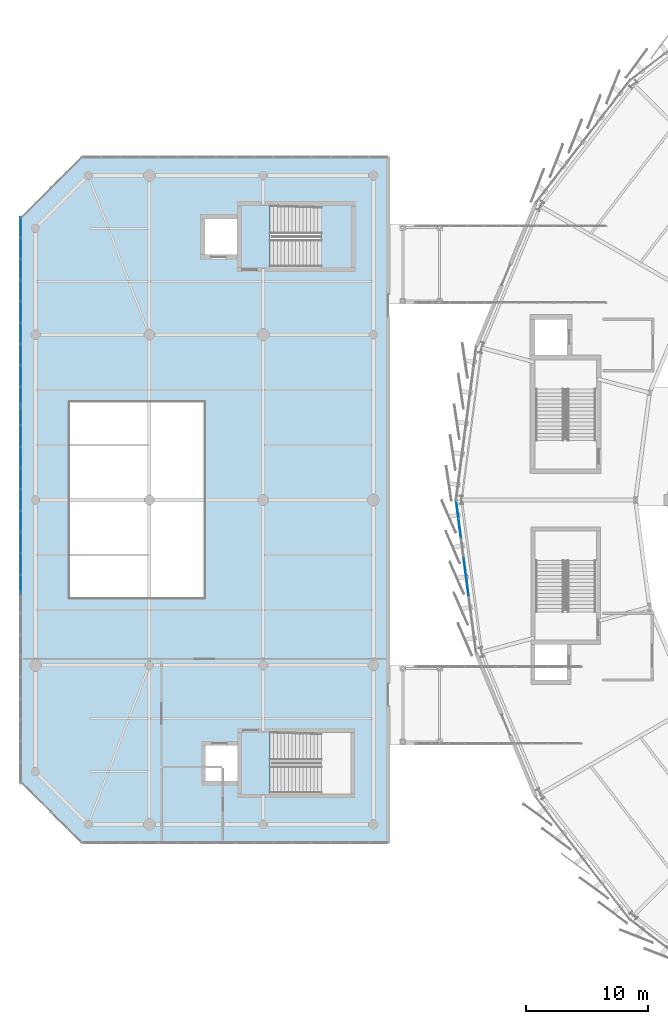
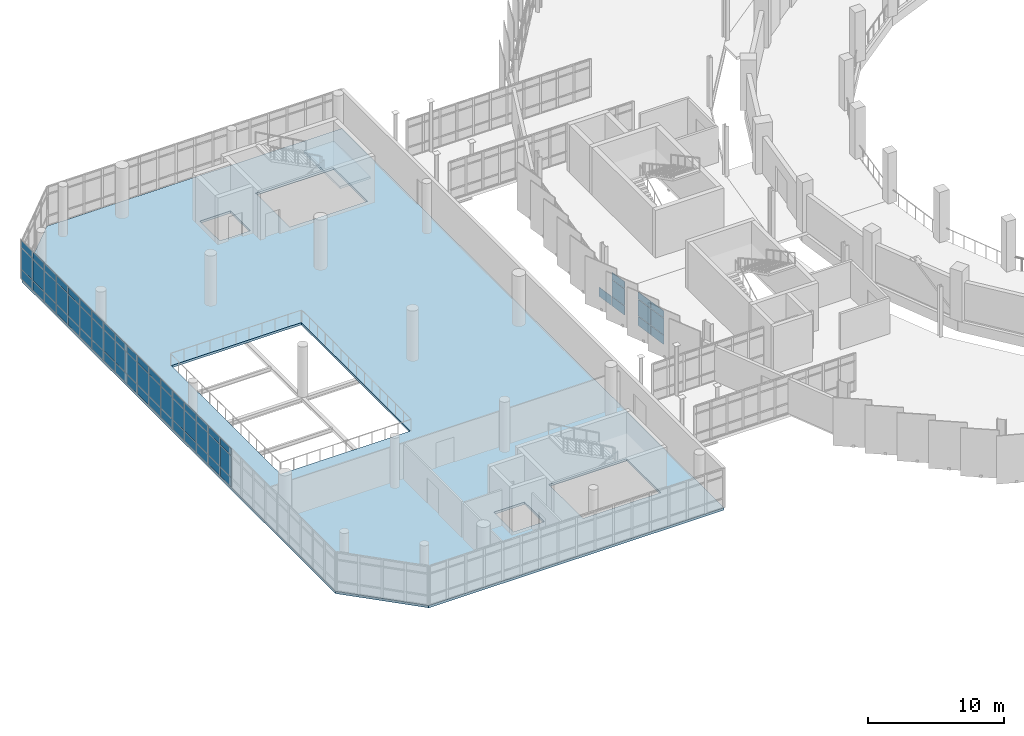
# One storey, part 86 of 125: 64 plates, 2 slabs, 4 elements without a shape of their own.
"""IFC4 building model written with IfcOpenShell, lengths in metres."""

from ifc_helpers import new_model, si_unit, direction, frame, origin, origin_2d, place, context, subcontext, project, spatial, polyline, rectangle, outline, extrude, material, layer, layer_set, type_object, element, aggregate, save


model = new_model("IFC4")

# Units and contexts
model_context = context("Model", 3, precision=1e-05, world=origin(), true_north=direction((0.0, 1.0)))
body_context = subcontext(model_context, "Body", "Model", "MODEL_VIEW")
ifc_project = project(units=[si_unit("LENGTHUNIT", "METRE"), si_unit("AREAUNIT", "SQUARE_METRE"), si_unit("VOLUMEUNIT", "CUBIC_METRE"), si_unit("PLANEANGLEUNIT", "RADIAN"), si_unit("MASSUNIT", "GRAM", prefix="KILO")], contexts=[model_context])

# Site, building, storey
site_placement = place(None, origin())
site = spatial("IfcSite", under=ifc_project, at=site_placement, CompositionType="ELEMENT")
building_placement = place(site_placement, origin())
building = spatial("IfcBuilding", under=site, at=building_placement, Name="Sohan Crest Arena", CompositionType="ELEMENT")
storey_placement = place(building_placement, frame((0.0, 0.0, 9.0)))
storey = spatial("IfcBuildingStorey", under=building, at=storey_placement, Name="L02", CompositionType="ELEMENT", Elevation=9.0)

# Curtain wall, plates
ifc_material_1 = material(Name="Thermally broken anodised aluminium", Category="aluminium")
ifc_layer_1 = layer(ifc_material_1, 0.219970703125, Name="Thermally broken anodised aluminium")
ifc_layer_set_1 = layer_set([ifc_layer_1], Name="Thermally broken anodised aluminium")
curtain_wall_type_1 = type_object("IfcCurtainWallType", Name="ARC-CW03", PredefinedType="NOTDEFINED", material=ifc_layer_set_1)
curtain_wall_1_placement = place(storey_placement, origin())
curtain_wall_1 = element("IfcCurtainWall", 1, at=curtain_wall_1_placement, inside=storey, type_object=curtain_wall_type_1, Name="Unitised curtain wall CW-216", PredefinedType="NOTDEFINED")
ifc_material_2 = material(Name="Low-E double-glazed insulated glass", Category="glass")
ifc_layer_2 = layer(ifc_material_2, 0.028076171875, Name="Low-E double-glazed insulated glass")
ifc_layer_set_2 = layer_set([ifc_layer_2], Name="Low-E double-glazed insulated glass")
plate_type_1 = type_object("IfcPlateType", Name="ARC-CNP01", PredefinedType="CURTAIN_PANEL", material=ifc_layer_set_2)
plate_1_placement = place(storey_placement, frame((14.0, 100.263916015625, 0.06494140625), z_axis=(0.0, 0.0, 1.0), x_axis=(0.0, -1.0, 0.0)))
plate_1 = element("IfcPlate", 2, at=plate_1_placement, type_object=plate_type_1, Name="CW-216 panel 1.1", PredefinedType="CURTAIN_PANEL", context=body_context, shape_type="SweptSolid", body=[
    extrude(rectangle(XDim=1.632080078125, YDim=0.028076171875, at=origin_2d()), origin(), (0.0, 0.0, 1.0), 0.802490234375),
])
plate_2_placement = place(storey_placement, frame((14.0, 100.263916015625, 0.9326171875), z_axis=(0.0, 0.0, 1.0), x_axis=(0.0, -1.0, 0.0)))
plate_2 = element("IfcPlate", 3, at=plate_2_placement, type_object=plate_type_1, Name="CW-216 panel 1.2", PredefinedType="CURTAIN_PANEL", context=body_context, shape_type="SweptSolid", body=[
    extrude(rectangle(XDim=1.632080078125, YDim=0.028076171875, at=origin_2d()), origin(), (0.0, 0.0, 1.0), 1.885009765625),
])
plate_3_placement = place(storey_placement, frame((14.0, 100.263916015625, 2.882568359375), z_axis=(0.0, 0.0, 1.0), x_axis=(0.0, -1.0, 0.0)))
plate_3 = element("IfcPlate", 4, at=plate_3_placement, type_object=plate_type_1, Name="CW-216 panel 1.3", PredefinedType="CURTAIN_PANEL", context=body_context, shape_type="SweptSolid", body=[
    extrude(rectangle(XDim=1.632080078125, YDim=0.028076171875, at=origin_2d()), origin(), (0.0, 0.0, 1.0), 0.6025390625),
])
plate_4_placement = place(storey_placement, frame((14.0, 98.54443359375, 0.06494140625), z_axis=(0.0, 0.0, 1.0), x_axis=(0.0, -1.0, 0.0)))
plate_4 = element("IfcPlate", 5, at=plate_4_placement, type_object=plate_type_1, Name="CW-216 panel 2.1", PredefinedType="CURTAIN_PANEL", context=body_context, shape_type="SweptSolid", body=[
    extrude(rectangle(XDim=1.6669921875, YDim=0.028076171875, at=origin_2d()), origin(), (0.0, 0.0, 1.0), 0.802490234375),
])
plate_5_placement = place(storey_placement, frame((14.0, 98.54443359375, 0.9326171875), z_axis=(0.0, 0.0, 1.0), x_axis=(0.0, -1.0, 0.0)))
plate_5 = element("IfcPlate", 6, at=plate_5_placement, type_object=plate_type_1, Name="CW-216 panel 2.2", PredefinedType="CURTAIN_PANEL", context=body_context, shape_type="SweptSolid", body=[
    extrude(rectangle(XDim=1.6669921875, YDim=0.028076171875, at=origin_2d()), origin(), (0.0, 0.0, 1.0), 1.885009765625),
])
plate_6_placement = place(storey_placement, frame((14.0, 98.54443359375, 2.882568359375), z_axis=(0.0, 0.0, 1.0), x_axis=(0.0, -1.0, 0.0)))
plate_6 = element("IfcPlate", 7, at=plate_6_placement, type_object=plate_type_1, Name="CW-216 panel 2.3", PredefinedType="CURTAIN_PANEL", context=body_context, shape_type="SweptSolid", body=[
    extrude(rectangle(XDim=1.6669921875, YDim=0.028076171875, at=origin_2d()), origin(), (0.0, 0.0, 1.0), 0.6025390625),
])
plate_7_placement = place(storey_placement, frame((14.0, 96.8076171875, 0.06494140625), z_axis=(0.0, 0.0, 1.0), x_axis=(0.0, -1.0, 0.0)))
plate_7 = element("IfcPlate", 8, at=plate_7_placement, type_object=plate_type_1, Name="CW-216 panel 3.1", PredefinedType="CURTAIN_PANEL", context=body_context, shape_type="SweptSolid", body=[
    extrude(rectangle(XDim=1.6669921875, YDim=0.028076171875, at=origin_2d()), origin(), (0.0, 0.0, 1.0), 0.802490234375),
])
plate_8_placement = place(storey_placement, frame((14.0, 96.8076171875, 0.9326171875), z_axis=(0.0, 0.0, 1.0), x_axis=(0.0, -1.0, 0.0)))
plate_8 = element("IfcPlate", 9, at=plate_8_placement, type_object=plate_type_1, Name="CW-216 panel 3.2", PredefinedType="CURTAIN_PANEL", context=body_context, shape_type="SweptSolid", body=[
    extrude(rectangle(XDim=1.6669921875, YDim=0.028076171875, at=origin_2d()), origin(), (0.0, 0.0, 1.0), 1.885009765625),
])
plate_9_placement = place(storey_placement, frame((14.0, 96.8076171875, 2.882568359375), z_axis=(0.0, 0.0, 1.0), x_axis=(0.0, -1.0, 0.0)))
plate_9 = element("IfcPlate", 10, at=plate_9_placement, type_object=plate_type_1, Name="CW-216 panel 3.3", PredefinedType="CURTAIN_PANEL", context=body_context, shape_type="SweptSolid", body=[
    extrude(rectangle(XDim=1.6669921875, YDim=0.028076171875, at=origin_2d()), origin(), (0.0, 0.0, 1.0), 0.6025390625),
])
plate_10_placement = place(storey_placement, frame((14.0, 95.070556640625, 0.06494140625), z_axis=(0.0, 0.0, 1.0), x_axis=(0.0, -1.0, 0.0)))
plate_10 = element("IfcPlate", 11, at=plate_10_placement, type_object=plate_type_1, Name="CW-216 panel 4.1", PredefinedType="CURTAIN_PANEL", context=body_context, shape_type="SweptSolid", body=[
    extrude(rectangle(XDim=1.6669921875, YDim=0.028076171875, at=origin_2d()), origin(), (0.0, 0.0, 1.0), 0.802490234375),
])
plate_11_placement = place(storey_placement, frame((14.0, 95.070556640625, 0.9326171875), z_axis=(0.0, 0.0, 1.0), x_axis=(0.0, -1.0, 0.0)))
plate_11 = element("IfcPlate", 12, at=plate_11_placement, type_object=plate_type_1, Name="CW-216 panel 4.2", PredefinedType="CURTAIN_PANEL", context=body_context, shape_type="SweptSolid", body=[
    extrude(rectangle(XDim=1.6669921875, YDim=0.028076171875, at=origin_2d()), origin(), (0.0, 0.0, 1.0), 1.885009765625),
])
plate_12_placement = place(storey_placement, frame((14.0, 95.070556640625, 2.882568359375), z_axis=(0.0, 0.0, 1.0), x_axis=(0.0, -1.0, 0.0)))
plate_12 = element("IfcPlate", 13, at=plate_12_placement, type_object=plate_type_1, Name="CW-216 panel 4.3", PredefinedType="CURTAIN_PANEL", context=body_context, shape_type="SweptSolid", body=[
    extrude(rectangle(XDim=1.6669921875, YDim=0.028076171875, at=origin_2d()), origin(), (0.0, 0.0, 1.0), 0.6025390625),
])
plate_13_placement = place(storey_placement, frame((14.0, 93.33349609375, 0.06494140625), z_axis=(0.0, 0.0, 1.0), x_axis=(0.0, -1.0, 0.0)))
plate_13 = element("IfcPlate", 14, at=plate_13_placement, type_object=plate_type_1, Name="CW-216 panel 5.1", PredefinedType="CURTAIN_PANEL", context=body_context, shape_type="SweptSolid", body=[
    extrude(rectangle(XDim=1.6669921875, YDim=0.028076171875, at=origin_2d()), origin(), (0.0, 0.0, 1.0), 0.802490234375),
])
plate_14_placement = place(storey_placement, frame((14.0, 93.33349609375, 0.9326171875), z_axis=(0.0, 0.0, 1.0), x_axis=(0.0, -1.0, 0.0)))
plate_14 = element("IfcPlate", 15, at=plate_14_placement, type_object=plate_type_1, Name="CW-216 panel 5.2", PredefinedType="CURTAIN_PANEL", context=body_context, shape_type="SweptSolid", body=[
    extrude(rectangle(XDim=1.6669921875, YDim=0.028076171875, at=origin_2d()), origin(), (0.0, 0.0, 1.0), 1.885009765625),
])
plate_15_placement = place(storey_placement, frame((14.0, 93.33349609375, 2.882568359375), z_axis=(0.0, 0.0, 1.0), x_axis=(0.0, -1.0, 0.0)))
plate_15 = element("IfcPlate", 16, at=plate_15_placement, type_object=plate_type_1, Name="CW-216 panel 5.3", PredefinedType="CURTAIN_PANEL", context=body_context, shape_type="SweptSolid", body=[
    extrude(rectangle(XDim=1.6669921875, YDim=0.028076171875, at=origin_2d()), origin(), (0.0, 0.0, 1.0), 0.6025390625),
])
plate_16_placement = place(storey_placement, frame((14.0, 91.596435546875, 0.06494140625), z_axis=(0.0, 0.0, 1.0), x_axis=(0.0, -1.0, 0.0)))
plate_16 = element("IfcPlate", 17, at=plate_16_placement, type_object=plate_type_1, Name="CW-216 panel 6.1", PredefinedType="CURTAIN_PANEL", context=body_context, shape_type="SweptSolid", body=[
    extrude(rectangle(XDim=1.6669921875, YDim=0.028076171875, at=origin_2d()), origin(), (0.0, 0.0, 1.0), 0.802490234375),
])
plate_17_placement = place(storey_placement, frame((14.0, 91.596435546875, 0.9326171875), z_axis=(0.0, 0.0, 1.0), x_axis=(0.0, -1.0, 0.0)))
plate_17 = element("IfcPlate", 18, at=plate_17_placement, type_object=plate_type_1, Name="CW-216 panel 6.2", PredefinedType="CURTAIN_PANEL", context=body_context, shape_type="SweptSolid", body=[
    extrude(rectangle(XDim=1.6669921875, YDim=0.028076171875, at=origin_2d()), origin(), (0.0, 0.0, 1.0), 1.885009765625),
])
plate_18_placement = place(storey_placement, frame((14.0, 91.596435546875, 2.882568359375), z_axis=(0.0, 0.0, 1.0), x_axis=(0.0, -1.0, 0.0)))
plate_18 = element("IfcPlate", 19, at=plate_18_placement, type_object=plate_type_1, Name="CW-216 panel 6.3", PredefinedType="CURTAIN_PANEL", context=body_context, shape_type="SweptSolid", body=[
    extrude(rectangle(XDim=1.6669921875, YDim=0.028076171875, at=origin_2d()), origin(), (0.0, 0.0, 1.0), 0.6025390625),
])
plate_19_placement = place(storey_placement, frame((14.0, 89.859619140625, 0.06494140625), z_axis=(0.0, 0.0, 1.0), x_axis=(0.0, -1.0, 0.0)))
plate_19 = element("IfcPlate", 20, at=plate_19_placement, type_object=plate_type_1, Name="CW-216 panel 7.1", PredefinedType="CURTAIN_PANEL", context=body_context, shape_type="SweptSolid", body=[
    extrude(rectangle(XDim=1.6669921875, YDim=0.028076171875, at=origin_2d()), origin(), (0.0, 0.0, 1.0), 0.802490234375),
])
plate_20_placement = place(storey_placement, frame((14.0, 89.859619140625, 0.9326171875), z_axis=(0.0, 0.0, 1.0), x_axis=(0.0, -1.0, 0.0)))
plate_20 = element("IfcPlate", 21, at=plate_20_placement, type_object=plate_type_1, Name="CW-216 panel 7.2", PredefinedType="CURTAIN_PANEL", context=body_context, shape_type="SweptSolid", body=[
    extrude(rectangle(XDim=1.6669921875, YDim=0.028076171875, at=origin_2d()), origin(), (0.0, 0.0, 1.0), 1.885009765625),
])
plate_21_placement = place(storey_placement, frame((14.0, 89.859619140625, 2.882568359375), z_axis=(0.0, 0.0, 1.0), x_axis=(0.0, -1.0, 0.0)))
plate_21 = element("IfcPlate", 22, at=plate_21_placement, type_object=plate_type_1, Name="CW-216 panel 7.3", PredefinedType="CURTAIN_PANEL", context=body_context, shape_type="SweptSolid", body=[
    extrude(rectangle(XDim=1.6669921875, YDim=0.028076171875, at=origin_2d()), origin(), (0.0, 0.0, 1.0), 0.6025390625),
])
plate_22_placement = place(storey_placement, frame((14.0, 88.12255859375, 0.06494140625), z_axis=(0.0, 0.0, 1.0), x_axis=(0.0, -1.0, 0.0)))
plate_22 = element("IfcPlate", 23, at=plate_22_placement, type_object=plate_type_1, Name="CW-216 panel 8.1", PredefinedType="CURTAIN_PANEL", context=body_context, shape_type="SweptSolid", body=[
    extrude(rectangle(XDim=1.6669921875, YDim=0.028076171875, at=origin_2d()), origin(), (0.0, 0.0, 1.0), 0.802490234375),
])
plate_23_placement = place(storey_placement, frame((14.0, 88.12255859375, 0.9326171875), z_axis=(0.0, 0.0, 1.0), x_axis=(0.0, -1.0, 0.0)))
plate_23 = element("IfcPlate", 24, at=plate_23_placement, type_object=plate_type_1, Name="CW-216 panel 8.2", PredefinedType="CURTAIN_PANEL", context=body_context, shape_type="SweptSolid", body=[
    extrude(rectangle(XDim=1.6669921875, YDim=0.028076171875, at=origin_2d()), origin(), (0.0, 0.0, 1.0), 1.885009765625),
])
plate_24_placement = place(storey_placement, frame((14.0, 88.12255859375, 2.882568359375), z_axis=(0.0, 0.0, 1.0), x_axis=(0.0, -1.0, 0.0)))
plate_24 = element("IfcPlate", 25, at=plate_24_placement, type_object=plate_type_1, Name="CW-216 panel 8.3", PredefinedType="CURTAIN_PANEL", context=body_context, shape_type="SweptSolid", body=[
    extrude(rectangle(XDim=1.6669921875, YDim=0.028076171875, at=origin_2d()), origin(), (0.0, 0.0, 1.0), 0.6025390625),
])
plate_25_placement = place(storey_placement, frame((14.0, 86.403076171875, 0.06494140625), z_axis=(0.0, 0.0, 1.0), x_axis=(0.0, -1.0, 0.0)))
plate_25 = element("IfcPlate", 26, at=plate_25_placement, type_object=plate_type_1, Name="CW-216 panel 9.1", PredefinedType="CURTAIN_PANEL", context=body_context, shape_type="SweptSolid", body=[
    extrude(rectangle(XDim=1.632080078125, YDim=0.028076171875, at=origin_2d()), origin(), (0.0, 0.0, 1.0), 0.802490234375),
])
plate_26_placement = place(storey_placement, frame((14.0, 86.403076171875, 0.9326171875), z_axis=(0.0, 0.0, 1.0), x_axis=(0.0, -1.0, 0.0)))
plate_26 = element("IfcPlate", 27, at=plate_26_placement, type_object=plate_type_1, Name="CW-216 panel 9.2", PredefinedType="CURTAIN_PANEL", context=body_context, shape_type="SweptSolid", body=[
    extrude(rectangle(XDim=1.632080078125, YDim=0.028076171875, at=origin_2d()), origin(), (0.0, 0.0, 1.0), 1.885009765625),
])
plate_27_placement = place(storey_placement, frame((14.0, 86.403076171875, 2.882568359375), z_axis=(0.0, 0.0, 1.0), x_axis=(0.0, -1.0, 0.0)))
plate_27 = element("IfcPlate", 28, at=plate_27_placement, type_object=plate_type_1, Name="CW-216 panel 9.3", PredefinedType="CURTAIN_PANEL", context=body_context, shape_type="SweptSolid", body=[
    extrude(rectangle(XDim=1.632080078125, YDim=0.028076171875, at=origin_2d()), origin(), (0.0, 0.0, 1.0), 0.6025390625),
])
aggregate(curtain_wall_1, [plate_1, plate_2, plate_3, plate_4, plate_5, plate_6, plate_7, plate_8, plate_9, plate_10, plate_11, plate_12, plate_13, plate_14, plate_15, plate_16, plate_17, plate_18, plate_19, plate_20, plate_21, plate_22, plate_23, plate_24, plate_25, plate_26, plate_27])

curtain_wall_2_placement = place(storey_placement, origin())
curtain_wall_2 = element("IfcCurtainWall", 29, at=curtain_wall_2_placement, inside=storey, type_object=curtain_wall_type_1, Name="Unitised curtain wall CW-217", PredefinedType="NOTDEFINED")
plate_28_placement = place(storey_placement, frame((14.0, 84.930908203125, 0.06494140625), z_axis=(0.0, 0.0, 1.0), x_axis=(0.0, -1.0, 0.0)))
plate_28 = element("IfcPlate", 30, at=plate_28_placement, type_object=plate_type_1, Name="CW-217 panel 1.1", PredefinedType="CURTAIN_PANEL", context=body_context, shape_type="SweptSolid", body=[
    extrude(rectangle(XDim=1.632080078125, YDim=0.028076171875, at=origin_2d()), origin(), (0.0, 0.0, 1.0), 0.802490234375),
])
plate_29_placement = place(storey_placement, frame((14.0, 84.930908203125, 0.9326171875), z_axis=(0.0, 0.0, 1.0), x_axis=(0.0, -1.0, 0.0)))
plate_29 = element("IfcPlate", 31, at=plate_29_placement, type_object=plate_type_1, Name="CW-217 panel 1.2", PredefinedType="CURTAIN_PANEL", context=body_context, shape_type="SweptSolid", body=[
    extrude(rectangle(XDim=1.632080078125, YDim=0.028076171875, at=origin_2d()), origin(), (0.0, 0.0, 1.0), 1.885009765625),
])
plate_30_placement = place(storey_placement, frame((14.0, 84.930908203125, 2.882568359375), z_axis=(0.0, 0.0, 1.0), x_axis=(0.0, -1.0, 0.0)))
plate_30 = element("IfcPlate", 32, at=plate_30_placement, type_object=plate_type_1, Name="CW-217 panel 1.3", PredefinedType="CURTAIN_PANEL", context=body_context, shape_type="SweptSolid", body=[
    extrude(rectangle(XDim=1.632080078125, YDim=0.028076171875, at=origin_2d()), origin(), (0.0, 0.0, 1.0), 0.6025390625),
])
plate_31_placement = place(storey_placement, frame((14.0, 83.21142578125, 0.06494140625), z_axis=(0.0, 0.0, 1.0), x_axis=(0.0, -1.0, 0.0)))
plate_31 = element("IfcPlate", 33, at=plate_31_placement, type_object=plate_type_1, Name="CW-217 panel 2.1", PredefinedType="CURTAIN_PANEL", context=body_context, shape_type="SweptSolid", body=[
    extrude(rectangle(XDim=1.6669921875, YDim=0.028076171875, at=origin_2d()), origin(), (0.0, 0.0, 1.0), 0.802490234375),
])
plate_32_placement = place(storey_placement, frame((14.0, 83.21142578125, 0.9326171875), z_axis=(0.0, 0.0, 1.0), x_axis=(0.0, -1.0, 0.0)))
plate_32 = element("IfcPlate", 34, at=plate_32_placement, type_object=plate_type_1, Name="CW-217 panel 2.2", PredefinedType="CURTAIN_PANEL", context=body_context, shape_type="SweptSolid", body=[
    extrude(rectangle(XDim=1.6669921875, YDim=0.028076171875, at=origin_2d()), origin(), (0.0, 0.0, 1.0), 1.885009765625),
])
plate_33_placement = place(storey_placement, frame((14.0, 83.21142578125, 2.882568359375), z_axis=(0.0, 0.0, 1.0), x_axis=(0.0, -1.0, 0.0)))
plate_33 = element("IfcPlate", 35, at=plate_33_placement, type_object=plate_type_1, Name="CW-217 panel 2.3", PredefinedType="CURTAIN_PANEL", context=body_context, shape_type="SweptSolid", body=[
    extrude(rectangle(XDim=1.6669921875, YDim=0.028076171875, at=origin_2d()), origin(), (0.0, 0.0, 1.0), 0.6025390625),
])
plate_34_placement = place(storey_placement, frame((14.0, 81.47412109375, 0.06494140625), z_axis=(0.0, 0.0, 1.0), x_axis=(0.0, -1.0, 0.0)))
plate_34 = element("IfcPlate", 36, at=plate_34_placement, type_object=plate_type_1, Name="CW-217 panel 3.1", PredefinedType="CURTAIN_PANEL", context=body_context, shape_type="SweptSolid", body=[
    extrude(rectangle(XDim=1.6669921875, YDim=0.028076171875, at=origin_2d()), origin(), (0.0, 0.0, 1.0), 0.802490234375),
])
plate_35_placement = place(storey_placement, frame((14.0, 81.47412109375, 0.9326171875), z_axis=(0.0, 0.0, 1.0), x_axis=(0.0, -1.0, 0.0)))
plate_35 = element("IfcPlate", 37, at=plate_35_placement, type_object=plate_type_1, Name="CW-217 panel 3.2", PredefinedType="CURTAIN_PANEL", context=body_context, shape_type="SweptSolid", body=[
    extrude(rectangle(XDim=1.6669921875, YDim=0.028076171875, at=origin_2d()), origin(), (0.0, 0.0, 1.0), 1.885009765625),
])
plate_36_placement = place(storey_placement, frame((14.0, 81.47412109375, 2.882568359375), z_axis=(0.0, 0.0, 1.0), x_axis=(0.0, -1.0, 0.0)))
plate_36 = element("IfcPlate", 38, at=plate_36_placement, type_object=plate_type_1, Name="CW-217 panel 3.3", PredefinedType="CURTAIN_PANEL", context=body_context, shape_type="SweptSolid", body=[
    extrude(rectangle(XDim=1.6669921875, YDim=0.028076171875, at=origin_2d()), origin(), (0.0, 0.0, 1.0), 0.6025390625),
])
plate_37_placement = place(storey_placement, frame((14.0, 79.737060546875, 0.06494140625), z_axis=(0.0, 0.0, 1.0), x_axis=(0.0, -1.0, 0.0)))
plate_37 = element("IfcPlate", 39, at=plate_37_placement, type_object=plate_type_1, Name="CW-217 panel 4.1", PredefinedType="CURTAIN_PANEL", context=body_context, shape_type="SweptSolid", body=[
    extrude(rectangle(XDim=1.6669921875, YDim=0.028076171875, at=origin_2d()), origin(), (0.0, 0.0, 1.0), 0.802490234375),
])
plate_38_placement = place(storey_placement, frame((14.0, 79.737060546875, 0.9326171875), z_axis=(0.0, 0.0, 1.0), x_axis=(0.0, -1.0, 0.0)))
plate_38 = element("IfcPlate", 40, at=plate_38_placement, type_object=plate_type_1, Name="CW-217 panel 4.2", PredefinedType="CURTAIN_PANEL", context=body_context, shape_type="SweptSolid", body=[
    extrude(rectangle(XDim=1.6669921875, YDim=0.028076171875, at=origin_2d()), origin(), (0.0, 0.0, 1.0), 1.885009765625),
])
plate_39_placement = place(storey_placement, frame((14.0, 79.737060546875, 2.882568359375), z_axis=(0.0, 0.0, 1.0), x_axis=(0.0, -1.0, 0.0)))
plate_39 = element("IfcPlate", 41, at=plate_39_placement, type_object=plate_type_1, Name="CW-217 panel 4.3", PredefinedType="CURTAIN_PANEL", context=body_context, shape_type="SweptSolid", body=[
    extrude(rectangle(XDim=1.6669921875, YDim=0.028076171875, at=origin_2d()), origin(), (0.0, 0.0, 1.0), 0.6025390625),
])
plate_40_placement = place(storey_placement, frame((14.0, 78.0, 0.06494140625), z_axis=(0.0, 0.0, 1.0), x_axis=(0.0, -1.0, 0.0)))
plate_40 = element("IfcPlate", 42, at=plate_40_placement, type_object=plate_type_1, Name="CW-217 panel 5.1", PredefinedType="CURTAIN_PANEL", context=body_context, shape_type="SweptSolid", body=[
    extrude(rectangle(XDim=1.6669921875, YDim=0.028076171875, at=origin_2d()), origin(), (0.0, 0.0, 1.0), 0.802490234375),
])
plate_41_placement = place(storey_placement, frame((14.0, 78.0, 0.9326171875), z_axis=(0.0, 0.0, 1.0), x_axis=(0.0, -1.0, 0.0)))
plate_41 = element("IfcPlate", 43, at=plate_41_placement, type_object=plate_type_1, Name="CW-217 panel 5.2", PredefinedType="CURTAIN_PANEL", context=body_context, shape_type="SweptSolid", body=[
    extrude(rectangle(XDim=1.6669921875, YDim=0.028076171875, at=origin_2d()), origin(), (0.0, 0.0, 1.0), 1.885009765625),
])
plate_42_placement = place(storey_placement, frame((14.0, 78.0, 2.882568359375), z_axis=(0.0, 0.0, 1.0), x_axis=(0.0, -1.0, 0.0)))
plate_42 = element("IfcPlate", 44, at=plate_42_placement, type_object=plate_type_1, Name="CW-217 panel 5.3", PredefinedType="CURTAIN_PANEL", context=body_context, shape_type="SweptSolid", body=[
    extrude(rectangle(XDim=1.6669921875, YDim=0.028076171875, at=origin_2d()), origin(), (0.0, 0.0, 1.0), 0.6025390625),
])
plate_43_placement = place(storey_placement, frame((14.0, 76.262939453125, 0.06494140625), z_axis=(0.0, 0.0, 1.0), x_axis=(0.0, -1.0, 0.0)))
plate_43 = element("IfcPlate", 45, at=plate_43_placement, type_object=plate_type_1, Name="CW-217 panel 6.1", PredefinedType="CURTAIN_PANEL", context=body_context, shape_type="SweptSolid", body=[
    extrude(rectangle(XDim=1.6669921875, YDim=0.028076171875, at=origin_2d()), origin(), (0.0, 0.0, 1.0), 0.802490234375),
])
plate_44_placement = place(storey_placement, frame((14.0, 76.262939453125, 0.9326171875), z_axis=(0.0, 0.0, 1.0), x_axis=(0.0, -1.0, 0.0)))
plate_44 = element("IfcPlate", 46, at=plate_44_placement, type_object=plate_type_1, Name="CW-217 panel 6.2", PredefinedType="CURTAIN_PANEL", context=body_context, shape_type="SweptSolid", body=[
    extrude(rectangle(XDim=1.6669921875, YDim=0.028076171875, at=origin_2d()), origin(), (0.0, 0.0, 1.0), 1.885009765625),
])
plate_45_placement = place(storey_placement, frame((14.0, 76.262939453125, 2.882568359375), z_axis=(0.0, 0.0, 1.0), x_axis=(0.0, -1.0, 0.0)))
plate_45 = element("IfcPlate", 47, at=plate_45_placement, type_object=plate_type_1, Name="CW-217 panel 6.3", PredefinedType="CURTAIN_PANEL", context=body_context, shape_type="SweptSolid", body=[
    extrude(rectangle(XDim=1.6669921875, YDim=0.028076171875, at=origin_2d()), origin(), (0.0, 0.0, 1.0), 0.6025390625),
])
plate_46_placement = place(storey_placement, frame((14.0, 74.52587890625, 0.06494140625), z_axis=(0.0, 0.0, 1.0), x_axis=(0.0, -1.0, 0.0)))
plate_46 = element("IfcPlate", 48, at=plate_46_placement, type_object=plate_type_1, Name="CW-217 panel 7.1", PredefinedType="CURTAIN_PANEL", context=body_context, shape_type="SweptSolid", body=[
    extrude(rectangle(XDim=1.6669921875, YDim=0.028076171875, at=origin_2d()), origin(), (0.0, 0.0, 1.0), 0.802490234375),
])
plate_47_placement = place(storey_placement, frame((14.0, 74.52587890625, 0.9326171875), z_axis=(0.0, 0.0, 1.0), x_axis=(0.0, -1.0, 0.0)))
plate_47 = element("IfcPlate", 49, at=plate_47_placement, type_object=plate_type_1, Name="CW-217 panel 7.2", PredefinedType="CURTAIN_PANEL", context=body_context, shape_type="SweptSolid", body=[
    extrude(rectangle(XDim=1.6669921875, YDim=0.028076171875, at=origin_2d()), origin(), (0.0, 0.0, 1.0), 1.885009765625),
])
plate_48_placement = place(storey_placement, frame((14.0, 74.52587890625, 2.882568359375), z_axis=(0.0, 0.0, 1.0), x_axis=(0.0, -1.0, 0.0)))
plate_48 = element("IfcPlate", 50, at=plate_48_placement, type_object=plate_type_1, Name="CW-217 panel 7.3", PredefinedType="CURTAIN_PANEL", context=body_context, shape_type="SweptSolid", body=[
    extrude(rectangle(XDim=1.6669921875, YDim=0.028076171875, at=origin_2d()), origin(), (0.0, 0.0, 1.0), 0.6025390625),
])
plate_49_placement = place(storey_placement, frame((14.0, 72.78857421875, 0.06494140625), z_axis=(0.0, 0.0, 1.0), x_axis=(0.0, -1.0, 0.0)))
plate_49 = element("IfcPlate", 51, at=plate_49_placement, type_object=plate_type_1, Name="CW-217 panel 8.1", PredefinedType="CURTAIN_PANEL", context=body_context, shape_type="SweptSolid", body=[
    extrude(rectangle(XDim=1.6669921875, YDim=0.028076171875, at=origin_2d()), origin(), (0.0, 0.0, 1.0), 0.802490234375),
])
plate_50_placement = place(storey_placement, frame((14.0, 72.78857421875, 0.9326171875), z_axis=(0.0, 0.0, 1.0), x_axis=(0.0, -1.0, 0.0)))
plate_50 = element("IfcPlate", 52, at=plate_50_placement, type_object=plate_type_1, Name="CW-217 panel 8.2", PredefinedType="CURTAIN_PANEL", context=body_context, shape_type="SweptSolid", body=[
    extrude(rectangle(XDim=1.6669921875, YDim=0.028076171875, at=origin_2d()), origin(), (0.0, 0.0, 1.0), 1.885009765625),
])
plate_51_placement = place(storey_placement, frame((14.0, 72.78857421875, 2.882568359375), z_axis=(0.0, 0.0, 1.0), x_axis=(0.0, -1.0, 0.0)))
plate_51 = element("IfcPlate", 53, at=plate_51_placement, type_object=plate_type_1, Name="CW-217 panel 8.3", PredefinedType="CURTAIN_PANEL", context=body_context, shape_type="SweptSolid", body=[
    extrude(rectangle(XDim=1.6669921875, YDim=0.028076171875, at=origin_2d()), origin(), (0.0, 0.0, 1.0), 0.6025390625),
])
plate_52_placement = place(storey_placement, frame((14.0, 71.069091796875, 0.06494140625), z_axis=(0.0, 0.0, 1.0), x_axis=(0.0, -1.0, 0.0)))
plate_52 = element("IfcPlate", 54, at=plate_52_placement, type_object=plate_type_1, Name="CW-217 panel 9.1", PredefinedType="CURTAIN_PANEL", context=body_context, shape_type="SweptSolid", body=[
    extrude(rectangle(XDim=1.632080078125, YDim=0.028076171875, at=origin_2d()), origin(), (0.0, 0.0, 1.0), 0.802490234375),
])
plate_53_placement = place(storey_placement, frame((14.0, 71.069091796875, 0.9326171875), z_axis=(0.0, 0.0, 1.0), x_axis=(0.0, -1.0, 0.0)))
plate_53 = element("IfcPlate", 55, at=plate_53_placement, type_object=plate_type_1, Name="CW-217 panel 9.2", PredefinedType="CURTAIN_PANEL", context=body_context, shape_type="SweptSolid", body=[
    extrude(rectangle(XDim=1.632080078125, YDim=0.028076171875, at=origin_2d()), origin(), (0.0, 0.0, 1.0), 1.885009765625),
])
plate_54_placement = place(storey_placement, frame((14.0, 71.069091796875, 2.882568359375), z_axis=(0.0, 0.0, 1.0), x_axis=(0.0, -1.0, 0.0)))
plate_54 = element("IfcPlate", 56, at=plate_54_placement, type_object=plate_type_1, Name="CW-217 panel 9.3", PredefinedType="CURTAIN_PANEL", context=body_context, shape_type="SweptSolid", body=[
    extrude(rectangle(XDim=1.632080078125, YDim=0.028076171875, at=origin_2d()), origin(), (0.0, 0.0, 1.0), 0.6025390625),
])
aggregate(curtain_wall_2, [plate_28, plate_29, plate_30, plate_31, plate_32, plate_33, plate_34, plate_35, plate_36, plate_37, plate_38, plate_39, plate_40, plate_41, plate_42, plate_43, plate_44, plate_45, plate_46, plate_47, plate_48, plate_49, plate_50, plate_51, plate_52, plate_53, plate_54])

ifc_layer_3 = layer(ifc_material_1, 0.179931640625, Name="Thermally broken anodised aluminium")
ifc_layer_set_3 = layer_set([ifc_layer_3], Name="Thermally broken anodised aluminium")
curtain_wall_type_2 = type_object("IfcCurtainWallType", Name="ARC-CW01", PredefinedType="NOTDEFINED", material=ifc_layer_set_3)
curtain_wall_3_placement = place(storey_placement, origin())
curtain_wall_3 = element("IfcCurtainWall", 57, at=curtain_wall_3_placement, inside=storey, type_object=curtain_wall_type_2, Name="Unitised curtain wall CW-055", PredefinedType="NOTDEFINED")
ifc_material_3 = material(Name="Ceramic-fritted solar-control insulated glass", Category="glass")
ifc_layer_4 = layer(ifc_material_3, 0.035888671875, Name="Ceramic-fritted solar-control insulated glass")
ifc_layer_set_4 = layer_set([ifc_layer_4], Name="Ceramic-fritted solar-control insulated glass")
plate_type_2 = type_object("IfcPlateType", Name="ARC-CNP03", PredefinedType="CURTAIN_PANEL", material=ifc_layer_set_4)
plate_55_placement = place(storey_placement, frame((49.655517578125, 77.198974609375, 0.06005859375), z_axis=(0.0, 0.0, 1.0), x_axis=(0.130532229177, -0.991444066575, 0.0)))
plate_55 = element("IfcPlate", 58, at=plate_55_placement, type_object=plate_type_2, Name="CW-055 panel 1.1", PredefinedType="CURTAIN_PANEL", context=body_context, shape_type="SweptSolid", body=[
    extrude(rectangle(XDim=1.47607421875, YDim=0.035888671875, at=origin_2d()), origin(), (0.0, 0.0, 1.0), 0.81005859375),
])
plate_56_placement = place(storey_placement, frame((49.859619140625, 75.648681640625, 0.06005859375), z_axis=(0.0, 0.0, 1.0), x_axis=(0.130532229177, -0.991444066575, 0.0)))
plate_56 = element("IfcPlate", 59, at=plate_56_placement, type_object=plate_type_2, Name="CW-055 panel 2.1", PredefinedType="CURTAIN_PANEL", context=body_context, shape_type="SweptSolid", body=[
    extrude(rectangle(XDim=1.510986328125, YDim=0.035888671875, at=origin_2d()), origin(), (0.0, 0.0, 1.0), 0.81005859375),
])
plate_57_placement = place(storey_placement, frame((49.859619140625, 75.648681640625, 0.929931640625), z_axis=(0.0, 0.0, 1.0), x_axis=(0.130532229177, -0.991444066575, 0.0)))
plate_57 = element("IfcPlate", 60, at=plate_57_placement, type_object=plate_type_2, Name="CW-055 panel 2.2", PredefinedType="CURTAIN_PANEL", context=body_context, shape_type="SweptSolid", body=[
    extrude(rectangle(XDim=1.510986328125, YDim=0.035888671875, at=origin_2d()), origin(), (0.0, 0.0, 1.0), 1.4599609375),
])
plate_58_placement = place(storey_placement, frame((49.859619140625, 75.648681640625, 2.44970703125), z_axis=(0.0, 0.0, 1.0), x_axis=(0.130532229177, -0.991444066575, 0.0)))
plate_58 = element("IfcPlate", 61, at=plate_58_placement, type_object=plate_type_2, Name="CW-055 panel 2.3", PredefinedType="CURTAIN_PANEL", context=body_context, shape_type="SweptSolid", body=[
    extrude(rectangle(XDim=1.510986328125, YDim=0.035888671875, at=origin_2d()), origin(), (0.0, 0.0, 1.0), 0.610107421875),
])
plate_59_placement = place(storey_placement, frame((50.272216796875, 72.513671875, 0.06005859375), z_axis=(0.0, 0.0, 1.0), x_axis=(0.130532229177, -0.991444066575, 0.0)))
plate_59 = element("IfcPlate", 62, at=plate_59_placement, type_object=plate_type_2, Name="CW-055 panel 4.1", PredefinedType="CURTAIN_PANEL", context=body_context, shape_type="SweptSolid", body=[
    extrude(rectangle(XDim=1.510986328125, YDim=0.035888671875, at=origin_2d()), origin(), (0.0, 0.0, 1.0), 0.81005859375),
])
plate_60_placement = place(storey_placement, frame((50.272216796875, 72.513671875, 0.929931640625), z_axis=(0.0, 0.0, 1.0), x_axis=(0.130532229177, -0.991444066575, 0.0)))
plate_60 = element("IfcPlate", 63, at=plate_60_placement, type_object=plate_type_2, Name="CW-055 panel 4.2", PredefinedType="CURTAIN_PANEL", context=body_context, shape_type="SweptSolid", body=[
    extrude(rectangle(XDim=1.510986328125, YDim=0.035888671875, at=origin_2d()), origin(), (0.0, 0.0, 1.0), 1.4599609375),
])
plate_61_placement = place(storey_placement, frame((50.272216796875, 72.513671875, 2.44970703125), z_axis=(0.0, 0.0, 1.0), x_axis=(0.130532229177, -0.991444066575, 0.0)))
plate_61 = element("IfcPlate", 64, at=plate_61_placement, type_object=plate_type_2, Name="CW-055 panel 4.3", PredefinedType="CURTAIN_PANEL", context=body_context, shape_type="SweptSolid", body=[
    extrude(rectangle(XDim=1.510986328125, YDim=0.035888671875, at=origin_2d()), origin(), (0.0, 0.0, 1.0), 0.610107421875),
])
plate_62_placement = place(storey_placement, frame((50.478759765625, 70.9462890625, 0.06005859375), z_axis=(0.0, 0.0, 1.0), x_axis=(0.130532229177, -0.991444066575, 0.0)))
plate_62 = element("IfcPlate", 65, at=plate_62_placement, type_object=plate_type_2, Name="CW-055 panel 5.1", PredefinedType="CURTAIN_PANEL", context=body_context, shape_type="SweptSolid", body=[
    extrude(rectangle(XDim=1.510986328125, YDim=0.035888671875, at=origin_2d()), origin(), (0.0, 0.0, 1.0), 0.81005859375),
])
plate_63_placement = place(storey_placement, frame((50.478759765625, 70.9462890625, 0.929931640625), z_axis=(0.0, 0.0, 1.0), x_axis=(0.130532229177, -0.991444066575, 0.0)))
plate_63 = element("IfcPlate", 66, at=plate_63_placement, type_object=plate_type_2, Name="CW-055 panel 5.2", PredefinedType="CURTAIN_PANEL", context=body_context, shape_type="SweptSolid", body=[
    extrude(rectangle(XDim=1.510986328125, YDim=0.035888671875, at=origin_2d()), origin(), (0.0, 0.0, 1.0), 1.4599609375),
])
plate_64_placement = place(storey_placement, frame((50.478759765625, 70.9462890625, 2.44970703125), z_axis=(0.0, 0.0, 1.0), x_axis=(0.130532229177, -0.991444066575, 0.0)))
plate_64 = element("IfcPlate", 67, at=plate_64_placement, type_object=plate_type_2, Name="CW-055 panel 5.3", PredefinedType="CURTAIN_PANEL", context=body_context, shape_type="SweptSolid", body=[
    extrude(rectangle(XDim=1.510986328125, YDim=0.035888671875, at=origin_2d()), origin(), (0.0, 0.0, 1.0), 0.610107421875),
])
aggregate(curtain_wall_3, [plate_55, plate_56, plate_57, plate_58, plate_59, plate_60, plate_61, plate_62, plate_63, plate_64])

# Slab
ifc_material_4 = material(Name="Concrete C40/50", Category="concrete")
ifc_layer_5 = layer(ifc_material_4, 0.2099609375, Name="Concrete C40/50")
ifc_layer_set_5 = layer_set([ifc_layer_5], Name="Concrete C40/50")
slab_type_1 = type_object("IfcSlabType", Name="SL-FLR1", PredefinedType="FLOOR", material=ifc_layer_set_5)
slab_1_placement = place(storey_placement, frame((0.0, 0.0, -0.2099609375)))
element("IfcSlab", 68, at=slab_1_placement, inside=storey, type_object=slab_type_1, Name="Entrance foyer L02 gallery slab SL-L02-V3", PredefinedType="FLOOR", context=body_context, shape_type="SweptSolid", body=[
    extrude(outline(polyline([(44.0, 50.0), (19.0, 50.0), (14.0, 55.0), (14.0, 101.0), (19.0, 106.0), (44.0, 106.0), (44.0, 50.0)]), holes=[polyline([(40.949951171875, 59.0), (34.3701171875, 59.0), (34.3701171875, 54.0), (40.949951171875, 54.0), (40.949951171875, 59.0)]), polyline([(31.699951171875, 55.050048828125), (31.699951171875, 57.949951171875), (29.10009765625, 57.949951171875), (29.10009765625, 55.050048828125), (31.699951171875, 55.050048828125)]), polyline([(34.3701171875, 97.0), (40.949951171875, 97.0), (40.949951171875, 102.0), (34.3701171875, 102.0), (34.3701171875, 97.0)]), polyline([(29.050048828125, 100.949951171875), (29.050048828125, 98.050048828125), (31.64990234375, 98.050048828125), (31.64990234375, 100.949951171875), (29.050048828125, 100.949951171875)]), polyline([(29.0, 86.0), (18.0, 86.0), (18.0, 70.0), (29.0, 70.0), (29.0, 86.0)])]), origin(), (0.0, 0.0, 1.0), 0.2099609375),
])

# Stair, slab
stair_type = type_object("IfcStairType", Name="ST-450W", PredefinedType="TWO_STRAIGHT_RUN_STAIR", material=ifc_material_4)
stair_placement = place(storey_placement, origin())
stair = element("IfcStair", 69, at=stair_placement, inside=storey, type_object=stair_type, Name="Protected exit stair ST14-L02", PredefinedType="TWO_STRAIGHT_RUN_STAIR")
ifc_layer_6 = layer(ifc_material_4, 0.199951171875, Name="Concrete C40/50")
ifc_layer_set_6 = layer_set([ifc_layer_6], Name="Concrete C40/50")
slab_type_2 = type_object("IfcSlabType", Name="SL-LND1", PredefinedType="LANDING", material=ifc_layer_set_6)
slab_2_placement = place(storey_placement, frame((0.0, 0.0, 2.050048828125)))
slab_2 = element("IfcSlab", 70, at=slab_2_placement, type_object=slab_type_2, Name="ST14-L02 landing 1", PredefinedType="LANDING", context=body_context, shape_type="SweptSolid", body=[
    extrude(outline(polyline([(38.530029296875, 96.85009765625), (41.10009765625, 96.85009765625), (41.10009765625, 102.14990234375), (38.530029296875, 102.14990234375), (38.530029296875, 96.85009765625)])), origin(), (0.0, 0.0, 1.0), 0.199951171875),
])
aggregate(stair, [slab_2])

save(model, "model.ifc")
